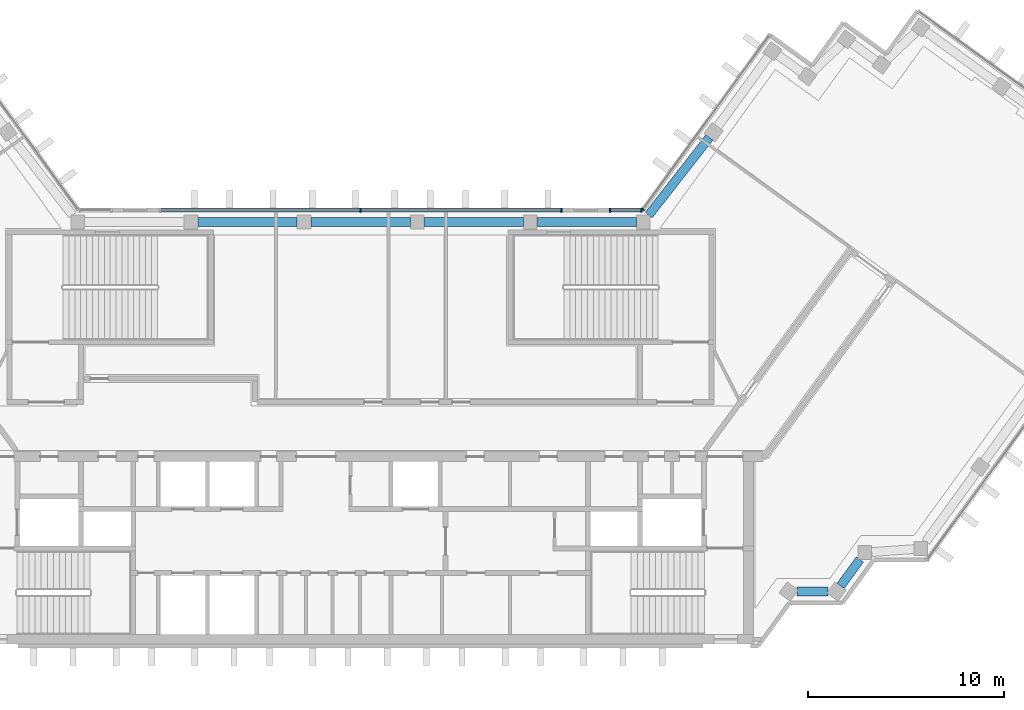
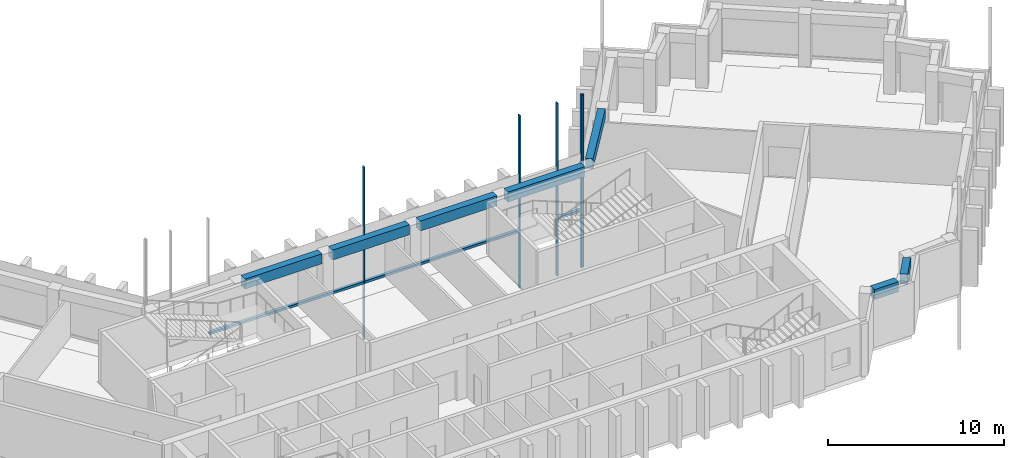
# One storey, part 3 of 14: 8 members, 7 beams, 3 elements without a shape of their own.
"""IFC4 building model written with IfcOpenShell, lengths in metres."""

from ifc_helpers import new_model, si_unit, direction, frame, origin, origin_2d, place, context, subcontext, project, spatial, rectangle, extrude, material, material_profile, profile_set, type_object, element, aggregate, save


model = new_model("IFC4")

# Units and contexts
model_context = context("Model", 3, precision=1e-05, world=origin(), true_north=direction((0.0, 1.0)))
body_context = subcontext(model_context, "Body", "Model", "MODEL_VIEW")
ifc_project = project(units=[si_unit("LENGTHUNIT", "METRE"), si_unit("AREAUNIT", "SQUARE_METRE"), si_unit("VOLUMEUNIT", "CUBIC_METRE"), si_unit("PLANEANGLEUNIT", "RADIAN"), si_unit("MASSUNIT", "GRAM", prefix="KILO")], contexts=[model_context])

# Site, building, storey
site_placement = place(None, origin())
site = spatial("IfcSite", under=ifc_project, at=site_placement, CompositionType="ELEMENT")
building_placement = place(site_placement, origin())
building = spatial("IfcBuilding", under=site, at=building_placement, Name="Quipu Civic Tower", CompositionType="ELEMENT")
storey_placement = place(building_placement, frame((0.0, 0.0, 257.0)))
storey = spatial("IfcBuildingStorey", under=building, at=storey_placement, Name="L60", CompositionType="ELEMENT", Elevation=257.0)

# Curtain wall, member
ifc_material_1 = material(Name="Insulated glass unit", Category="glass")
curtain_wall_type = type_object("IfcCurtainWallType", Name="Office curtain wall CW1", PredefinedType="NOTDEFINED", material=ifc_material_1)
curtain_wall_1_placement = place(storey_placement, origin())
curtain_wall_1 = element("IfcCurtainWall", 1, at=curtain_wall_1_placement, inside=storey, type_object=curtain_wall_type, Name="Office curtain wall CW1 L59 run 23", PredefinedType="NOTDEFINED")
ifc_material_2 = material(Name="Anodised aluminium", Category="aluminium")
ifc_material_profile_1 = material_profile(ifc_material_2, rectangle(XDim=0.199951171875, YDim=0.080078125, at=origin_2d()), Name="RECT 200x80")
ifc_profile_set_1 = profile_set([ifc_material_profile_1], Name="Anodised aluminium")
member_type_1 = type_object("IfcMemberType", Name="Mullion CW1", PredefinedType="MULLION", material=ifc_profile_set_1)
member_1_placement = place(storey_placement, frame((14.36767578125, 11.13232421875, -3.919921875), z_axis=(0.0, 0.0, 1.0), x_axis=(0.809015163947, -0.587787771652, 0.0)))
member_1 = element("IfcMember", 2, at=member_1_placement, type_object=member_type_1, Name="CW1 mullion 2", PredefinedType="MULLION", context=body_context, shape_type="SweptSolid", body=[
    extrude(rectangle(XDim=0.199951171875, YDim=0.080078125, at=origin_2d()), origin(), (0.0, 0.0, 1.0), 12.0),
])
aggregate(curtain_wall_1, [member_1])

# Curtain wall, members
curtain_wall_2_placement = place(storey_placement, origin())
curtain_wall_2 = element("IfcCurtainWall", 3, at=curtain_wall_2_placement, inside=storey, type_object=curtain_wall_type, Name="Office curtain wall CW1 L59 run 24", PredefinedType="NOTDEFINED")
member_2_placement = place(storey_placement, frame((14.30419921875, 11.10009765625, -3.919921875), z_axis=(0.0, 0.0, 1.0), x_axis=(0.0, -1.0, 0.0)))
member_2 = element("IfcMember", 4, at=member_2_placement, type_object=member_type_1, Name="CW1 mullion 1", PredefinedType="MULLION", context=body_context, shape_type="SweptSolid", body=[
    extrude(rectangle(XDim=0.199951171875, YDim=0.080078125, at=origin_2d()), origin(), (0.0, 0.0, 1.0), 12.0),
])
member_3_placement = place(storey_placement, frame((12.695068359375, 11.10009765625, -3.919921875), z_axis=(0.0, 0.0, 1.0), x_axis=(0.0, -1.0, 0.0)))
member_3 = element("IfcMember", 5, at=member_3_placement, type_object=member_type_1, Name="CW1 mullion 2", PredefinedType="MULLION", context=body_context, shape_type="SweptSolid", body=[
    extrude(rectangle(XDim=0.199951171875, YDim=0.080078125, at=origin_2d()), origin(), (0.0, 0.0, 1.0), 12.0),
])

curtain_wall_3_placement = place(storey_placement, origin())
curtain_wall_3 = element("IfcCurtainWall", 6, at=curtain_wall_3_placement, inside=storey, type_object=curtain_wall_type, Name="Office curtain wall CW1 L59 run 26", PredefinedType="NOTDEFINED")
member_4_placement = place(storey_placement, frame((10.223388671875, 11.10009765625, -3.919921875), z_axis=(0.0, 0.0, 1.0), x_axis=(0.0, -1.0, 0.0)))
member_4 = element("IfcMember", 7, at=member_4_placement, type_object=member_type_1, Name="CW1 mullion 1", PredefinedType="MULLION", context=body_context, shape_type="SweptSolid", body=[
    extrude(rectangle(XDim=0.199951171875, YDim=0.080078125, at=origin_2d()), origin(), (0.0, 0.0, 1.0), 12.0),
])
member_5_placement = place(storey_placement, frame((0.0, 11.10009765625, -3.919921875), z_axis=(0.0, 0.0, 1.0), x_axis=(0.0, -1.0, 0.0)))
member_5 = element("IfcMember", 8, at=member_5_placement, type_object=member_type_1, Name="CW1 mullion 2", PredefinedType="MULLION", context=body_context, shape_type="SweptSolid", body=[
    extrude(rectangle(XDim=0.199951171875, YDim=0.080078125, at=origin_2d()), origin(), (0.0, 0.0, 1.0), 12.0),
])

# Beams
ifc_material_3 = material(Name="Concrete C50/60", Category="concrete")
ifc_material_profile_2 = material_profile(ifc_material_3, rectangle(XDim=0.449951171875, YDim=0.699951171875, at=origin_2d()), Name="RC450x700")
ifc_profile_set_2 = profile_set([ifc_material_profile_2], Name="Concrete C50/60")
beam_type = type_object("IfcBeamType", Name="Spandrel beam RC 450x700 C50/60", PredefinedType="SPANDREL", material=ifc_profile_set_2)
beam_1_placement = place(storey_placement, frame((22.224365234375, -8.31494140625, 3.300048828125), z_axis=(1.0, 0.0, 0.0), x_axis=(0.0, 1.0, 0.0)))
element("IfcBeam", 9, at=beam_1_placement, inside=storey, type_object=beam_type, Name="Spandrel beam L60 J-Eo.1 to J-Eo.2", PredefinedType="SPANDREL", context=body_context, shape_type="SweptSolid", body=[
    extrude(rectangle(XDim=0.449951171875, YDim=0.699951171875, at=origin_2d()), origin(), (0.0, 0.0, 1.0), 1.578125),
])
beam_2_placement = place(storey_placement, frame((24.44091796875, -8.031982421875, 3.300048828125), z_axis=(0.588407300614, 0.80856468423, 0.0), x_axis=(-0.80856468423, 0.588407300614, 0.0)))
element("IfcBeam", 10, at=beam_2_placement, inside=storey, type_object=beam_type, Name="Spandrel beam L60 J-Eo.2 to J-Eo.3", PredefinedType="SPANDREL", context=body_context, shape_type="SweptSolid", body=[
    extrude(rectangle(XDim=0.449951171875, YDim=0.699951171875, at=origin_2d()), origin(), (0.0, 0.0, 1.0), 1.663330078125),
])
beam_3_placement = place(storey_placement, frame((17.7578125, 14.799072265625, 3.300048828125), z_axis=(-0.616106034519, -0.787663223865, 0.0), x_axis=(0.787663223865, -0.616106034519, 0.0)))
element("IfcBeam", 11, at=beam_3_placement, inside=storey, type_object=beam_type, Name="Spandrel beam L60 E-IN-01 to J-Ei.0", PredefinedType="SPANDREL", context=body_context, shape_type="SweptSolid", body=[
    extrude(rectangle(XDim=0.449951171875, YDim=0.699951171875, at=origin_2d()), origin(), (0.0, 0.0, 1.0), 5.013427734375),
])
for number, where, z_axis, x_axis, name in (
    (12, (14.045166015625, 10.5, 3.300048828125), (-1.0, 0.0, 0.0), (0.0, -1.0, 0.0), "Spandrel beam L60 J-Ei.0 to FRONT-01"),
    (13, (8.287109375, 10.5, 3.300048828125), (-1.0, 0.0, 0.0), (0.0, -1.0, 0.0), "Spandrel beam L60 FRONT-01 to FRONT-02"),
    (14, (2.529052734375, 10.5, 3.300048828125), (-1.0, 0.0, 0.0), (0.0, -1.0, 0.0), "Spandrel beam L60 FRONT-02 to FRONT-03"),
    (15, (-3.22900390625, 10.5, 3.300048828125), (-1.0, 0.0, 0.0), (0.0, -1.0, 0.0), "Spandrel beam L60 FRONT-03 to FRONT-04"),
):
    element("IfcBeam", number, at=place(storey_placement, frame(where, z_axis=z_axis, x_axis=x_axis)), inside=storey, type_object=beam_type, Name=name, PredefinedType="SPANDREL", context=body_context, shape_type="SweptSolid", body=[
        extrude(rectangle(XDim=0.449951171875, YDim=0.699951171875, at=origin_2d()), origin(), (0.0, 0.0, 1.0), 5.05810546875),
    ])

# Member
ifc_material_4 = material(Name="Anodised aluminium", Category="aluminium")
ifc_material_profile_3 = material_profile(ifc_material_4, rectangle(XDim=0.199951171875, YDim=0.159912109375, at=origin_2d()), Name="RECT 200x160")
ifc_profile_set_3 = profile_set([ifc_material_profile_3], Name="Anodised aluminium")
member_type_2 = type_object("IfcMemberType", Name="Transom CW1", PredefinedType="USERDEFINED", material=ifc_profile_set_3)
member_6_placement = place(storey_placement, frame((14.26416015625, 11.10009765625, 0.080078125), z_axis=(-1.0, 0.0, 0.0), x_axis=(0.0, -1.0, 0.0)))
member_6 = element("IfcMember", 16, at=member_6_placement, type_object=member_type_2, Name="CW1 transom 1.2", ObjectType="TRANSOM", PredefinedType="USERDEFINED", context=body_context, shape_type="SweptSolid", body=[
    extrude(rectangle(XDim=0.199951171875, YDim=0.159912109375, at=origin_2d()), origin(), (0.0, 0.0, 1.0), 1.529052734375),
])

aggregate(curtain_wall_2, [member_2, member_3, member_6])

member_7_placement = place(storey_placement, frame((10.18359375, 11.10009765625, 0.080078125), z_axis=(-1.0, 0.0, 0.0), x_axis=(0.0, -1.0, 0.0)))
member_7 = element("IfcMember", 17, at=member_7_placement, type_object=member_type_2, Name="CW1 transom 1.2", ObjectType="TRANSOM", PredefinedType="USERDEFINED", context=body_context, shape_type="SweptSolid", body=[
    extrude(rectangle(XDim=0.199951171875, YDim=0.159912109375, at=origin_2d()), origin(), (0.0, 0.0, 1.0), 10.1435546875),
])

member_8_placement = place(storey_placement, frame((-0.0400390625, 11.10009765625, 0.080078125), z_axis=(-1.0, 0.0, 0.0), x_axis=(0.0, -1.0, 0.0)))
member_8 = element("IfcMember", 18, at=member_8_placement, type_object=member_type_2, Name="CW1 transom 2.2", ObjectType="TRANSOM", PredefinedType="USERDEFINED", context=body_context, shape_type="SweptSolid", body=[
    extrude(rectangle(XDim=0.199951171875, YDim=0.159912109375, at=origin_2d()), origin(), (0.0, 0.0, 1.0), 10.1435546875),
])

aggregate(curtain_wall_3, [member_4, member_5, member_7, member_8])

save(model, "model.ifc")
